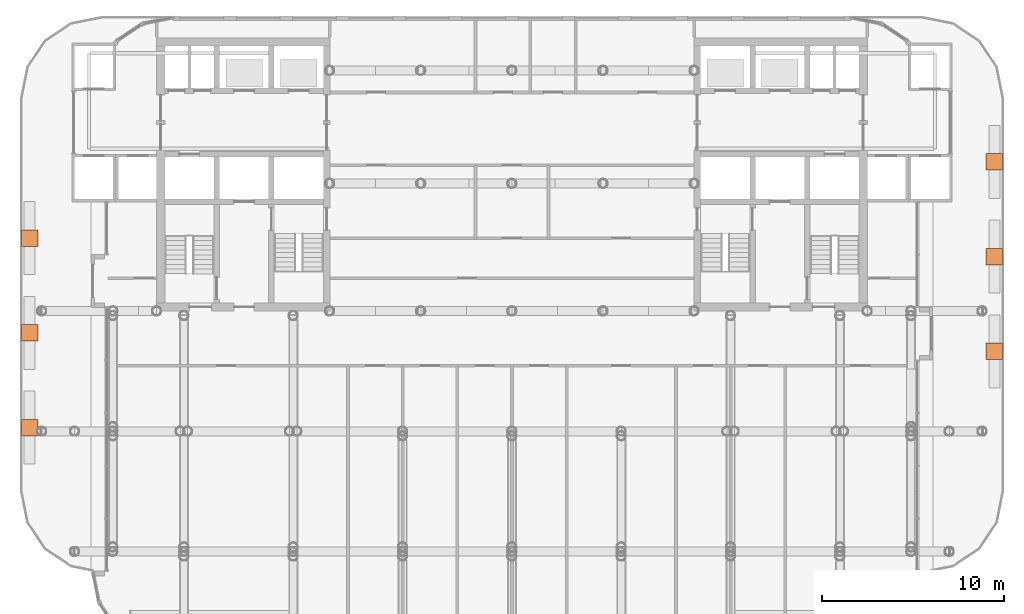
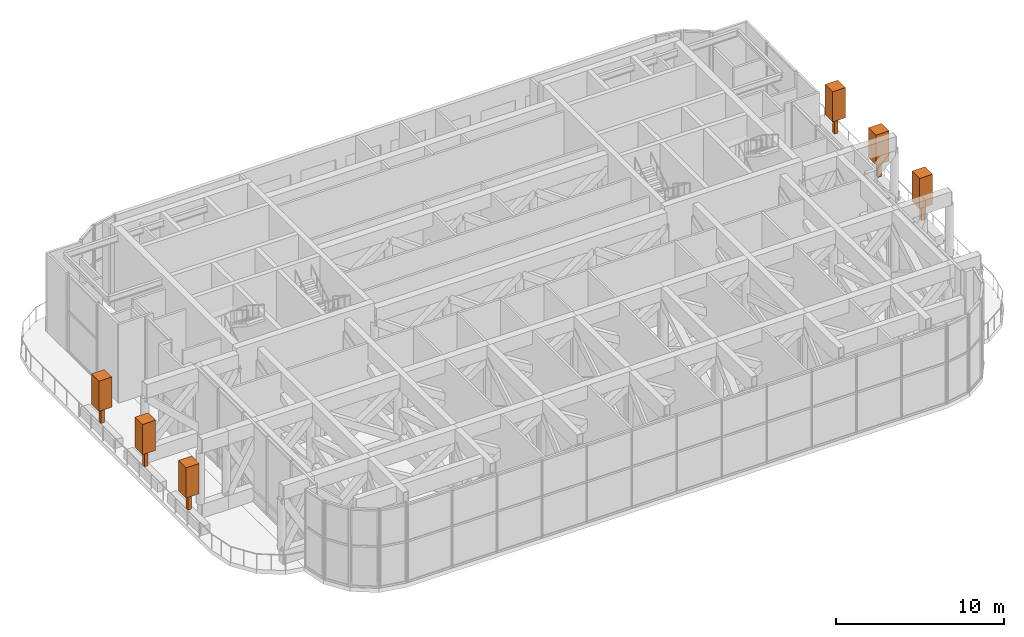
# One storey, part 21 of 21: 6 geographic elements.
"""IFC4 building model written with IfcOpenShell, lengths in metres."""

from ifc_helpers import new_model, si_unit, direction, frame, origin, origin_2d, place, context, subcontext, project, spatial, rectangle, extrude, material, element, save


model = new_model("IFC4")

# Units and contexts
model_context = context("Model", 3, precision=1e-05, world=origin(), true_north=direction((0.0, 1.0)))
body_context = subcontext(model_context, "Body", "Model", "MODEL_VIEW")
ifc_project = project(units=[si_unit("LENGTHUNIT", "METRE"), si_unit("AREAUNIT", "SQUARE_METRE"), si_unit("VOLUMEUNIT", "CUBIC_METRE"), si_unit("PLANEANGLEUNIT", "RADIAN"), si_unit("MASSUNIT", "GRAM", prefix="KILO")], contexts=[model_context])

# Site, building, storey
site_placement = place(None, origin())
site = spatial("IfcSite", under=ifc_project, at=site_placement, CompositionType="ELEMENT")
building_placement = place(site_placement, origin())
building = spatial("IfcBuilding", under=site, at=building_placement, Name="Torana Hotel and Residences", CompositionType="ELEMENT")
storey_placement = place(building_placement, frame((0.0, 0.0, 246.60009765625)))
storey = spatial("IfcBuildingStorey", under=building, at=storey_placement, Name="L65", CompositionType="ELEMENT", Elevation=246.60009765625)

# Geographic elements
ifc_material = material(Name="Foliage", Category="planting")
for number, where, z_axis, x_axis, name in (
    (1, (26.469970703125, -6.807861328125, 0.64990234375), (0.0, 0.0, 1.0), (1.0, 0.0, 0.0), "Tree L65 1.1"),
    (2, (26.469970703125, -12.0078125, 0.64990234375), (0.0, 0.0, 1.0), (1.0, 0.0, 0.0), "Tree L65 1.2"),
    (3, (26.469970703125, -17.2080078125, 0.64990234375), (0.0, 0.0, 1.0), (1.0, 0.0, 0.0), "Tree L65 1.3"),
    (4, (-26.469970703125, -21.39208984375, 0.64990234375), (0.0, 0.0, 1.0), (1.0, 0.0, 0.0), "Tree L65 2.1"),
    (5, (-26.469970703125, -16.192138671875, 0.64990234375), (0.0, 0.0, 1.0), (1.0, 0.0, 0.0), "Tree L65 2.2"),
    (6, (-26.469970703125, -10.9921875, 0.64990234375), (0.0, 0.0, 1.0), (1.0, 0.0, 0.0), "Tree L65 2.3"),
):
    element("IfcGeographicElement", number, at=place(storey_placement, frame(where, z_axis=z_axis, x_axis=x_axis)), inside=storey, material=ifc_material, Name=name, ObjectType="TREE", PredefinedType="USERDEFINED", context=body_context, shape_type="SweptSolid", body=[
        extrude(rectangle(XDim=0.25, YDim=0.25, at=origin_2d()), origin(), (0.0, 0.0, 1.0), 1.199951171875),
        extrude(rectangle(XDim=0.89990234375, YDim=0.89990234375, at=origin_2d()), frame((0.0, 0.0, 1.199951171875)), (0.0, 0.0, 1.0), 2.199951171875),
    ])

save(model, "model.ifc")
